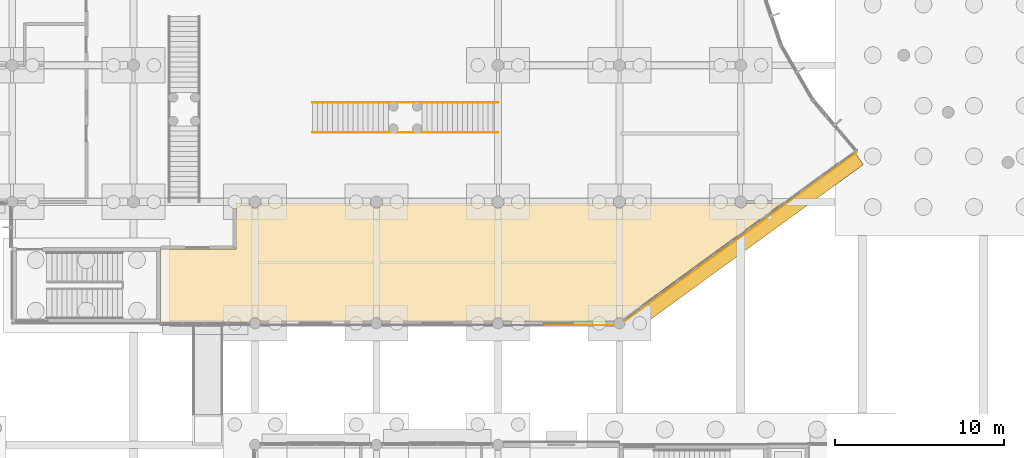
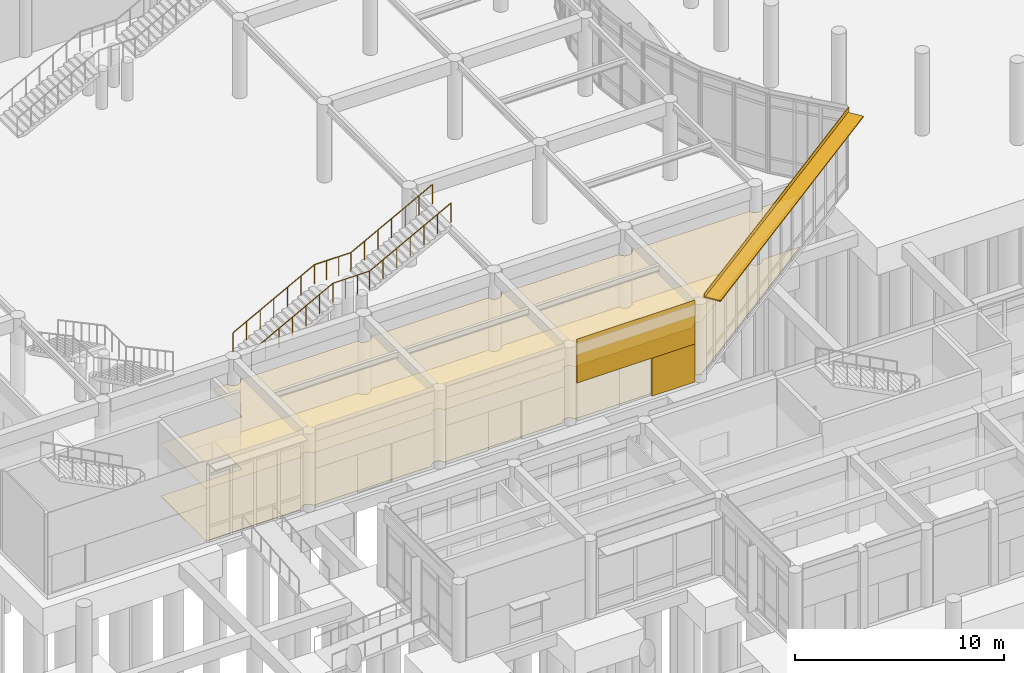
# One storey, part 80 of 103: 5 coverings, 2 railings, 1 shading device.
"""IFC4 building model written with IfcOpenShell, lengths in metres."""

from ifc_helpers import new_model, si_unit, direction, frame, origin, origin_2d, place, context, subcontext, project, spatial, polyline, rectangle, circle, outline, extrude, material, layer, layer_set, type_object, element, save


model = new_model("IFC4")

# Units and contexts
model_context = context("Model", 3, precision=1e-05, world=origin(), true_north=direction((0.0, 1.0)))
body_context = subcontext(model_context, "Body", "Model", "MODEL_VIEW")
ifc_project = project(units=[si_unit("LENGTHUNIT", "METRE"), si_unit("AREAUNIT", "SQUARE_METRE"), si_unit("VOLUMEUNIT", "CUBIC_METRE"), si_unit("PLANEANGLEUNIT", "RADIAN"), si_unit("MASSUNIT", "GRAM", prefix="KILO")], contexts=[model_context])

# Site, building, storey
site_placement = place(None, origin())
site = spatial("IfcSite", under=ifc_project, at=site_placement, CompositionType="ELEMENT")
building_placement = place(site_placement, origin())
building = spatial("IfcBuilding", under=site, at=building_placement, Name="Namkhue Oval Health Centre", CompositionType="ELEMENT")
storey_placement = place(building_placement, origin())
storey = spatial("IfcBuildingStorey", under=building, at=storey_placement, Name="L00", CompositionType="ELEMENT", Elevation=0.0)

# Coverings
ifc_material_1 = material(Name="Acoustic mineral-fibre cleanroom ceiling", Category="gypsum")
ifc_layer_1 = layer(ifc_material_1, 0.02001953125)
ifc_layer_set_1 = layer_set([ifc_layer_1], Name="Acoustic mineral-fibre cleanroom ceiling")
covering_type_1 = type_object("IfcCoveringType", Name="ACOUSTIC CLEANROOM CEILING 20", PredefinedType="CEILING", material=ifc_layer_set_1)
covering_1_placement = place(storey_placement, frame((0.0, 0.0, 3.050048828125)))
element("IfcCovering", 1, at=covering_1_placement, inside=storey, type_object=covering_type_1, Name="Acoustic Ceiling L00-120 Outpatient Pharmacy Dispensary", PredefinedType="CEILING", context=body_context, shape_type="SweptSolid", body=[
    extrude(outline(polyline([(34.8798828125, 43.1201171875), (35.650390625, 43.1201171875), (35.65234375, 43.106689453125), (35.688232421875, 43.02001953125), (35.745361328125, 42.9453125), (35.820068359375, 42.88818359375), (35.90673828125, 42.852294921875), (36.0, 42.840087890625), (36.09326171875, 42.852294921875), (36.179931640625, 42.88818359375), (36.254638671875, 42.9453125), (36.311767578125, 43.02001953125), (36.34765625, 43.106689453125), (36.349609375, 43.1201171875), (42.8505859375, 43.1201171875), (42.852294921875, 43.106689453125), (42.88818359375, 43.02001953125), (42.9453125, 42.9453125), (43.02001953125, 42.88818359375), (43.106689453125, 42.852294921875), (43.199951171875, 42.840087890625), (43.293212890625, 42.852294921875), (43.3798828125, 42.88818359375), (43.45458984375, 42.9453125), (43.51171875, 43.02001953125), (43.547607421875, 43.106689453125), (43.549560546875, 43.1201171875), (50.050537109375, 43.1201171875), (50.05224609375, 43.106689453125), (50.088134765625, 43.02001953125), (50.1455078125, 42.9453125), (50.219970703125, 42.88818359375), (50.306884765625, 42.852294921875), (50.39990234375, 42.840087890625), (50.4931640625, 42.852294921875), (50.580078125, 42.88818359375), (50.654541015625, 42.9453125), (50.7119140625, 43.02001953125), (50.747802734375, 43.106689453125), (50.74951171875, 43.1201171875), (57.25048828125, 43.1201171875), (57.252197265625, 43.106689453125), (57.2880859375, 43.02001953125), (57.345458984375, 42.9453125), (57.419921875, 42.88818359375), (57.5068359375, 42.852294921875), (57.60009765625, 42.840087890625), (57.693115234375, 42.852294921875), (57.780029296875, 42.88818359375), (57.8544921875, 42.9453125), (57.911865234375, 43.02001953125), (57.94775390625, 43.106689453125), (57.949462890625, 43.1201171875), (64.450439453125, 43.1201171875), (64.452392578125, 43.106689453125), (64.48828125, 43.02001953125), (64.54541015625, 42.9453125), (64.6201171875, 42.88818359375), (64.706787109375, 42.852294921875), (64.800048828125, 42.840087890625), (64.893310546875, 42.852294921875), (64.97998046875, 42.88818359375), (65.0546875, 42.9453125), (65.11181640625, 43.02001953125), (65.147705078125, 43.106689453125), (65.1494140625, 43.1201171875), (67.23779296875, 43.1201171875), (57.809814453125, 36.2578125), (57.767578125, 36.2900390625), (57.686767578125, 36.323486328125), (57.60009765625, 36.3349609375), (57.51318359375, 36.323486328125), (57.4326171875, 36.2900390625), (57.363037109375, 36.23681640625), (57.309814453125, 36.16748046875), (57.276123046875, 36.0849609375), (50.723876953125, 36.0849609375), (50.690185546875, 36.16748046875), (50.636962890625, 36.23681640625), (50.5673828125, 36.2900390625), (50.48681640625, 36.323486328125), (50.39990234375, 36.3349609375), (50.313232421875, 36.323486328125), (50.232421875, 36.2900390625), (50.1630859375, 36.23681640625), (50.10986328125, 36.16748046875), (50.076171875, 36.0849609375), (43.523681640625, 36.0849609375), (43.489990234375, 36.16748046875), (43.43701171875, 36.23681640625), (43.367431640625, 36.2900390625), (43.28662109375, 36.323486328125), (43.199951171875, 36.3349609375), (43.11328125, 36.323486328125), (43.032470703125, 36.2900390625), (42.963134765625, 36.23681640625), (42.909912109375, 36.16748046875), (42.876220703125, 36.0849609375), (36.32373046875, 36.0849609375), (36.2900390625, 36.16748046875), (36.23681640625, 36.23681640625), (36.16748046875, 36.2900390625), (36.086669921875, 36.323486328125), (36.0, 36.3349609375), (35.913330078125, 36.323486328125), (35.83251953125, 36.2900390625), (35.76318359375, 36.23681640625), (35.7099609375, 36.16748046875), (35.67626953125, 36.0849609375), (30.39990234375, 36.0849609375), (30.39990234375, 40.419921875), (34.8798828125, 40.419921875), (34.8798828125, 43.1201171875)])), origin(), (0.0, 0.0, 1.0), 0.02001953125),
])
ifc_material_2 = material(Name="Homogeneous anti-bacterial clinical vinyl flooring", Category="plastic")
ifc_layer_2 = layer(ifc_material_2, 0.014892578125)
ifc_layer_set_2 = layer_set([ifc_layer_2], Name="Homogeneous anti-bacterial clinical vinyl flooring")
covering_type_2 = type_object("IfcCoveringType", Name="CLINICAL ANTIBACTERIAL VINYL FLOORING 15", PredefinedType="FLOORING", material=ifc_layer_set_2)
covering_2_placement = place(storey_placement, origin())
element("IfcCovering", 2, at=covering_2_placement, inside=storey, type_object=covering_type_2, Name="Clinical Flooring L00-120 Outpatient Pharmacy Dispensary", PredefinedType="FLOORING", context=body_context, shape_type="SweptSolid", body=[
    extrude(outline(polyline([(34.8798828125, 43.1201171875), (35.650390625, 43.1201171875), (35.65234375, 43.106689453125), (35.688232421875, 43.02001953125), (35.745361328125, 42.9453125), (35.820068359375, 42.88818359375), (35.90673828125, 42.852294921875), (36.0, 42.840087890625), (36.09326171875, 42.852294921875), (36.179931640625, 42.88818359375), (36.254638671875, 42.9453125), (36.311767578125, 43.02001953125), (36.34765625, 43.106689453125), (36.349609375, 43.1201171875), (42.8505859375, 43.1201171875), (42.852294921875, 43.106689453125), (42.88818359375, 43.02001953125), (42.9453125, 42.9453125), (43.02001953125, 42.88818359375), (43.106689453125, 42.852294921875), (43.199951171875, 42.840087890625), (43.293212890625, 42.852294921875), (43.3798828125, 42.88818359375), (43.45458984375, 42.9453125), (43.51171875, 43.02001953125), (43.547607421875, 43.106689453125), (43.549560546875, 43.1201171875), (50.050537109375, 43.1201171875), (50.05224609375, 43.106689453125), (50.088134765625, 43.02001953125), (50.1455078125, 42.9453125), (50.219970703125, 42.88818359375), (50.306884765625, 42.852294921875), (50.39990234375, 42.840087890625), (50.4931640625, 42.852294921875), (50.580078125, 42.88818359375), (50.654541015625, 42.9453125), (50.7119140625, 43.02001953125), (50.747802734375, 43.106689453125), (50.74951171875, 43.1201171875), (57.25048828125, 43.1201171875), (57.252197265625, 43.106689453125), (57.2880859375, 43.02001953125), (57.345458984375, 42.9453125), (57.419921875, 42.88818359375), (57.5068359375, 42.852294921875), (57.60009765625, 42.840087890625), (57.693115234375, 42.852294921875), (57.780029296875, 42.88818359375), (57.8544921875, 42.9453125), (57.911865234375, 43.02001953125), (57.94775390625, 43.106689453125), (57.949462890625, 43.1201171875), (64.450439453125, 43.1201171875), (64.452392578125, 43.106689453125), (64.48828125, 43.02001953125), (64.54541015625, 42.9453125), (64.6201171875, 42.88818359375), (64.706787109375, 42.852294921875), (64.800048828125, 42.840087890625), (64.893310546875, 42.852294921875), (64.97998046875, 42.88818359375), (65.0546875, 42.9453125), (65.11181640625, 43.02001953125), (65.147705078125, 43.106689453125), (65.1494140625, 43.1201171875), (67.23779296875, 43.1201171875), (57.809814453125, 36.2578125), (57.767578125, 36.2900390625), (57.686767578125, 36.323486328125), (57.60009765625, 36.3349609375), (57.51318359375, 36.323486328125), (57.4326171875, 36.2900390625), (57.363037109375, 36.23681640625), (57.309814453125, 36.16748046875), (57.276123046875, 36.0849609375), (50.723876953125, 36.0849609375), (50.690185546875, 36.16748046875), (50.636962890625, 36.23681640625), (50.5673828125, 36.2900390625), (50.48681640625, 36.323486328125), (50.39990234375, 36.3349609375), (50.313232421875, 36.323486328125), (50.232421875, 36.2900390625), (50.1630859375, 36.23681640625), (50.10986328125, 36.16748046875), (50.076171875, 36.0849609375), (43.523681640625, 36.0849609375), (43.489990234375, 36.16748046875), (43.43701171875, 36.23681640625), (43.367431640625, 36.2900390625), (43.28662109375, 36.323486328125), (43.199951171875, 36.3349609375), (43.11328125, 36.323486328125), (43.032470703125, 36.2900390625), (42.963134765625, 36.23681640625), (42.909912109375, 36.16748046875), (42.876220703125, 36.0849609375), (36.32373046875, 36.0849609375), (36.2900390625, 36.16748046875), (36.23681640625, 36.23681640625), (36.16748046875, 36.2900390625), (36.086669921875, 36.323486328125), (36.0, 36.3349609375), (35.913330078125, 36.323486328125), (35.83251953125, 36.2900390625), (35.76318359375, 36.23681640625), (35.7099609375, 36.16748046875), (35.67626953125, 36.0849609375), (30.39990234375, 36.0849609375), (30.39990234375, 40.419921875), (34.8798828125, 40.419921875), (34.8798828125, 43.1201171875)])), origin(), (0.0, 0.0, 1.0), 0.014892578125),
])

# Railings
ifc_material_3 = material(Name="Brushed stainless steel 316L balustrade with laminated glass infill", Category="steel")
railing_type = type_object("IfcRailingType", Name="INTERIOR BALUSTRADE GUARD 1150", PredefinedType="BALUSTRADE", material=ifc_material_3)
railing_1_placement = place(storey_placement, frame((39.405029296875, 49.090087890625, 0.0)))
element("IfcRailing", 3, at=railing_1_placement, inside=storey, type_object=railing_type, Name="Waiting Hall South Straight Feature Stair Balustrade Guard L", PredefinedType="BALUSTRADE", context=body_context, shape_type="SweptSolid", body=[
    extrude(circle(Radius=0.02392578125, at=origin_2d()), frame((0.0, 0.0, 1.1259765625), z_axis=(0.882137983893, 0.0, 0.470991058697), x_axis=(0.0, 1.0, 0.0)), (0.0, 0.0, 1.0), 5.095458984375),
    extrude(circle(Radius=0.02392578125, at=origin_2d()), frame((4.494873046875, 0.0, 3.52587890625), z_axis=(1.0, 0.0, 0.0), x_axis=(0.0, 1.0, 0.0)), (0.0, 0.0, 1.0), 2.010009765625),
    extrude(circle(Radius=0.02392578125, at=origin_2d()), frame((6.5048828125, 0.0, 3.52587890625), z_axis=(0.882128706014, 0.0, 0.471008435196), x_axis=(0.0, 1.0, 0.0)), (0.0, 0.0, 1.0), 5.095703125),
    extrude(circle(Radius=0.02099609375, at=origin_2d()), origin(), (0.0, 0.0, 1.0), 1.101806640625),
    extrude(circle(Radius=0.02099609375, at=origin_2d()), frame((0.7490234375, 0.0, 0.39990234375)), (0.0, 0.0, 1.0), 1.101806640625),
    extrude(circle(Radius=0.02099609375, at=origin_2d()), frame((1.498291015625, 0.0, 0.800048828125)), (0.0, 0.0, 1.0), 1.101806640625),
    extrude(circle(Radius=0.02099609375, at=origin_2d()), frame((2.24755859375, 0.0, 1.199951171875)), (0.0, 0.0, 1.0), 1.101806640625),
    extrude(circle(Radius=0.02099609375, at=origin_2d()), frame((2.99658203125, 0.0, 1.599853515625)), (0.0, 0.0, 1.0), 1.101806640625),
    extrude(circle(Radius=0.02099609375, at=origin_2d()), frame((3.74560546875, 0.0, 2.0)), (0.0, 0.0, 1.0), 1.101806640625),
    extrude(circle(Radius=0.02099609375, at=origin_2d()), frame((4.494873046875, 0.0, 2.39990234375)), (0.0, 0.0, 1.0), 1.101806640625),
    extrude(circle(Radius=0.02099609375, at=origin_2d()), frame((5.164794921875, 0.0, 2.39990234375)), (0.0, 0.0, 1.0), 1.101806640625),
    extrude(circle(Radius=0.02099609375, at=origin_2d()), frame((5.8349609375, 0.0, 2.39990234375)), (0.0, 0.0, 1.0), 1.101806640625),
    extrude(circle(Radius=0.02099609375, at=origin_2d()), frame((6.5048828125, 0.0, 2.39990234375)), (0.0, 0.0, 1.0), 1.101806640625),
    extrude(circle(Radius=0.02099609375, at=origin_2d()), frame((7.254150390625, 0.0, 2.7998046875)), (0.0, 0.0, 1.0), 1.101806640625),
    extrude(circle(Radius=0.02099609375, at=origin_2d()), frame((8.003173828125, 0.0, 3.199951171875)), (0.0, 0.0, 1.0), 1.101806640625),
    extrude(circle(Radius=0.02099609375, at=origin_2d()), frame((8.75244140625, 0.0, 3.60009765625)), (0.0, 0.0, 1.0), 1.101806640625),
    extrude(circle(Radius=0.02099609375, at=origin_2d()), frame((9.501708984375, 0.0, 4.0)), (0.0, 0.0, 1.0), 1.101806640625),
    extrude(circle(Radius=0.02099609375, at=origin_2d()), frame((10.250732421875, 0.0, 4.39990234375)), (0.0, 0.0, 1.0), 1.101806640625),
    extrude(circle(Radius=0.02099609375, at=origin_2d()), frame((11.0, 0.0, 4.800048828125)), (0.0, 0.0, 1.0), 1.101806640625),
])
railing_2_placement = place(storey_placement, frame((39.405029296875, 47.31005859375, 0.0)))
element("IfcRailing", 4, at=railing_2_placement, inside=storey, type_object=railing_type, Name="Waiting Hall South Straight Feature Stair Balustrade Guard R", PredefinedType="BALUSTRADE", context=body_context, shape_type="SweptSolid", body=[
    extrude(circle(Radius=0.02392578125, at=origin_2d()), frame((0.0, 0.0, 1.1259765625), z_axis=(0.882137983893, 0.0, 0.470991058697), x_axis=(0.0, 1.0, 0.0)), (0.0, 0.0, 1.0), 5.095458984375),
    extrude(circle(Radius=0.02392578125, at=origin_2d()), frame((4.494873046875, 0.0, 3.52587890625), z_axis=(1.0, 0.0, 0.0), x_axis=(0.0, 1.0, 0.0)), (0.0, 0.0, 1.0), 2.010009765625),
    extrude(circle(Radius=0.02392578125, at=origin_2d()), frame((6.5048828125, 0.0, 3.52587890625), z_axis=(0.882128706014, 0.0, 0.471008435196), x_axis=(0.0, 1.0, 0.0)), (0.0, 0.0, 1.0), 5.095703125),
    extrude(circle(Radius=0.02099609375, at=origin_2d()), origin(), (0.0, 0.0, 1.0), 1.101806640625),
    extrude(circle(Radius=0.02099609375, at=origin_2d()), frame((0.7490234375, 0.0, 0.39990234375)), (0.0, 0.0, 1.0), 1.101806640625),
    extrude(circle(Radius=0.02099609375, at=origin_2d()), frame((1.498291015625, 0.0, 0.800048828125)), (0.0, 0.0, 1.0), 1.101806640625),
    extrude(circle(Radius=0.02099609375, at=origin_2d()), frame((2.24755859375, 0.0, 1.199951171875)), (0.0, 0.0, 1.0), 1.101806640625),
    extrude(circle(Radius=0.02099609375, at=origin_2d()), frame((2.99658203125, 0.0, 1.599853515625)), (0.0, 0.0, 1.0), 1.101806640625),
    extrude(circle(Radius=0.02099609375, at=origin_2d()), frame((3.74560546875, 0.0, 2.0)), (0.0, 0.0, 1.0), 1.101806640625),
    extrude(circle(Radius=0.02099609375, at=origin_2d()), frame((4.494873046875, 0.0, 2.39990234375)), (0.0, 0.0, 1.0), 1.101806640625),
    extrude(circle(Radius=0.02099609375, at=origin_2d()), frame((5.164794921875, 0.0, 2.39990234375)), (0.0, 0.0, 1.0), 1.101806640625),
    extrude(circle(Radius=0.02099609375, at=origin_2d()), frame((5.8349609375, 0.0, 2.39990234375)), (0.0, 0.0, 1.0), 1.101806640625),
    extrude(circle(Radius=0.02099609375, at=origin_2d()), frame((6.5048828125, 0.0, 2.39990234375)), (0.0, 0.0, 1.0), 1.101806640625),
    extrude(circle(Radius=0.02099609375, at=origin_2d()), frame((7.254150390625, 0.0, 2.7998046875)), (0.0, 0.0, 1.0), 1.101806640625),
    extrude(circle(Radius=0.02099609375, at=origin_2d()), frame((8.003173828125, 0.0, 3.199951171875)), (0.0, 0.0, 1.0), 1.101806640625),
    extrude(circle(Radius=0.02099609375, at=origin_2d()), frame((8.75244140625, 0.0, 3.60009765625)), (0.0, 0.0, 1.0), 1.101806640625),
    extrude(circle(Radius=0.02099609375, at=origin_2d()), frame((9.501708984375, 0.0, 4.0)), (0.0, 0.0, 1.0), 1.101806640625),
    extrude(circle(Radius=0.02099609375, at=origin_2d()), frame((10.250732421875, 0.0, 4.39990234375)), (0.0, 0.0, 1.0), 1.101806640625),
    extrude(circle(Radius=0.02099609375, at=origin_2d()), frame((11.0, 0.0, 4.800048828125)), (0.0, 0.0, 1.0), 1.101806640625),
])

# Shading device
ifc_material_4 = material(Name="Anodised aluminium EN AW-6063 T6", Category="aluminium")
ifc_layer_3 = layer(ifc_material_4, 0.06005859375)
ifc_layer_set_3 = layer_set([ifc_layer_3], Name="Anodised aluminium EN AW-6063 T6")
shading_device_type = type_object("IfcShadingDeviceType", Name="MONSOON SUN LOUVRE 900", PredefinedType="JALOUSIE", material=ifc_layer_set_3)
shading_device_placement = place(storey_placement, frame((65.003173828125, 40.831787109375, 4.494873046875), z_axis=(0.0, 0.0, 1.0), x_axis=(0.808503746992, 0.588491028904, 0.0)))
element("IfcShadingDevice", 5, at=shading_device_placement, inside=storey, type_object=shading_device_type, Name="Volume V1 L00 Horizontal Monsoon Sun Louvre 2", PredefinedType="JALOUSIE", context=body_context, shape_type="SweptSolid", body=[
    extrude(rectangle(XDim=16.818115234375, YDim=0.89990234375, at=origin_2d()), origin(), (0.0, 0.0, 1.0), 0.06005859375),
])

# Coverings
ifc_material_5 = material(Name="White glass-fibre reinforced concrete GRC rainscreen cladding", Category="concrete")
ifc_layer_4 = layer(ifc_material_5, 0.02490234375)
ifc_layer_set_4 = layer_set([ifc_layer_4], Name="White glass-fibre reinforced concrete GRC rainscreen cladding")
covering_type_3 = type_object("IfcCoveringType", Name="WHITE GRC RAINSCREEN CLADDING 25", PredefinedType="CLADDING", material=ifc_layer_set_4)
covering_3_placement = place(storey_placement, frame((54.0, 35.887939453125, 2.23486328125), z_axis=(0.0, 0.0, 1.0), x_axis=(1.0, 0.0, 0.0)))
element("IfcCovering", 6, at=covering_3_placement, inside=storey, type_object=covering_type_3, Name="Volume V1 L00 Facade 3 White GRC Cladding 1", PredefinedType="CLADDING", context=body_context, shape_type="SweptSolid", body=[
    extrude(rectangle(XDim=6.52001953125, YDim=0.02490234375, at=origin_2d()), origin(), (0.0, 0.0, 1.0), 2.554931640625),
])
covering_4_placement = place(storey_placement, frame((56.074951171875, 35.887939453125, 0.01025390625), z_axis=(0.0, 0.0, 1.0), x_axis=(1.0, 0.0, 0.0)))
element("IfcCovering", 7, at=covering_4_placement, inside=storey, type_object=covering_type_3, Name="Volume V1 L00 Facade 3 White GRC Cladding 3", PredefinedType="CLADDING", context=body_context, shape_type="SweptSolid", body=[
    extrude(rectangle(XDim=2.3701171875, YDim=0.02490234375, at=origin_2d()), origin(), (0.0, 0.0, 1.0), 2.219970703125),
])
covering_5_placement = place(storey_placement, frame((64.790283203125, 41.1240234375, 4.550048828125), z_axis=(0.0, 0.0, 1.0), x_axis=(0.808503746992, 0.588491028904, 0.0)))
element("IfcCovering", 8, at=covering_5_placement, inside=storey, type_object=covering_type_3, Name="Volume V1 L00 Curtain Wall Spandrel Cladding 2", PredefinedType="CLADDING", context=body_context, shape_type="SweptSolid", body=[
    extrude(rectangle(XDim=17.008056640625, YDim=0.02490234375, at=origin_2d()), origin(), (0.0, 0.0, 1.0), 0.25),
])

save(model, "model.ifc")
